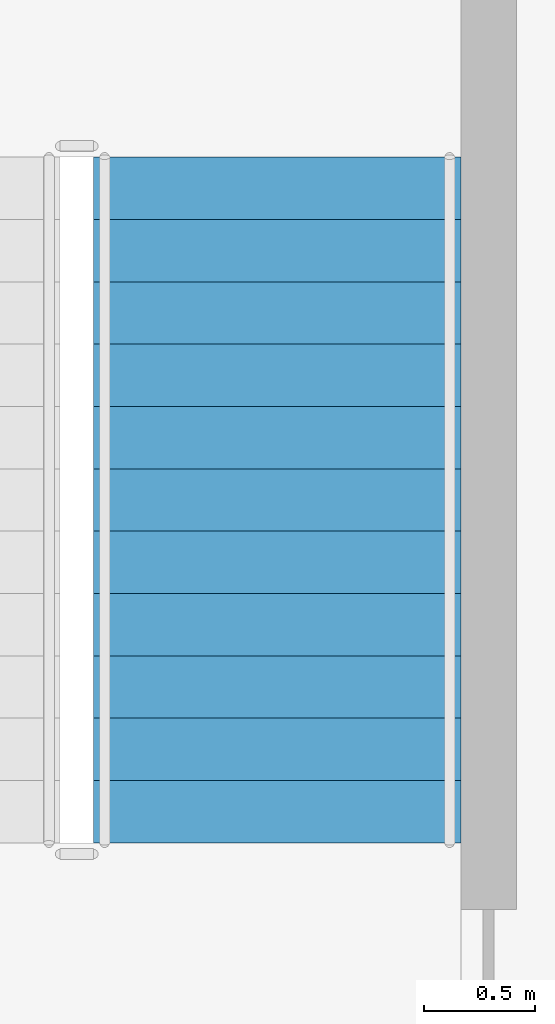
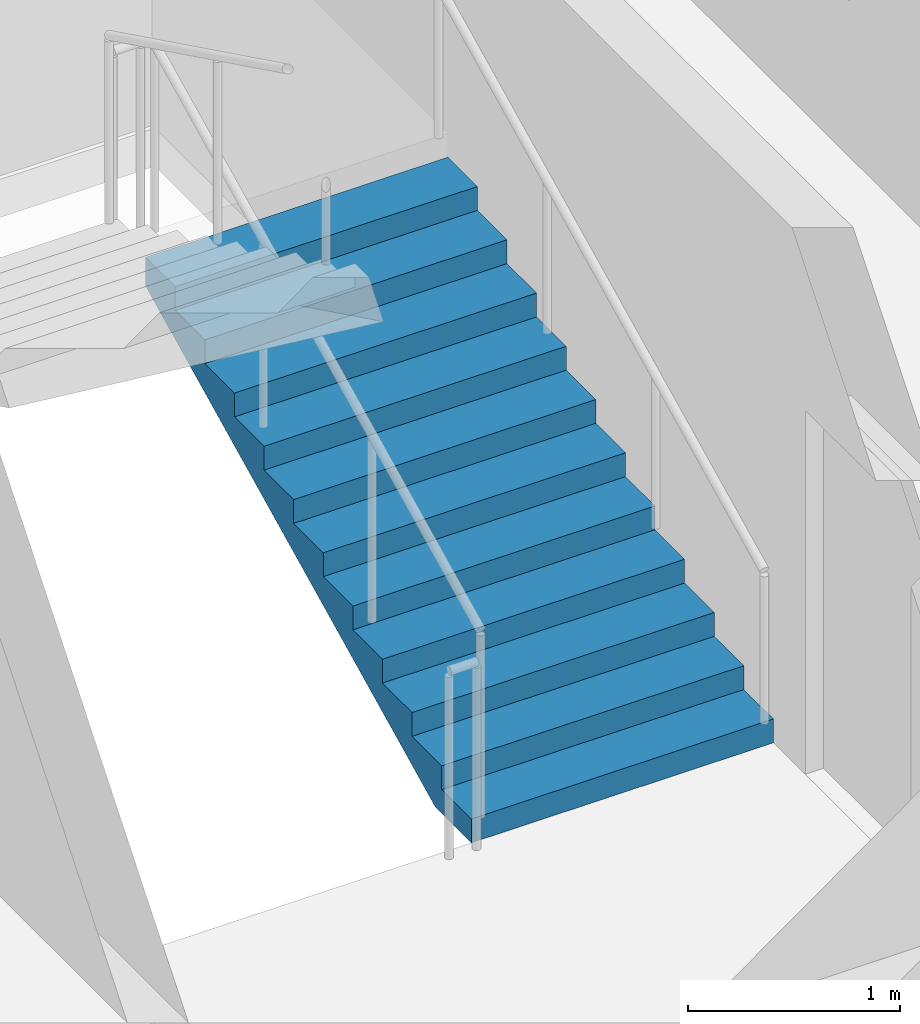
# One storey, part 12 of 27: 1 stair flight, 1 element without a shape of its own.
"""IFC4 building model written with IfcOpenShell, lengths in metres."""

from ifc_helpers import new_model, si_unit, direction, frame, origin, place, context, subcontext, project, spatial, polyline, outline, extrude, material, layer, layer_set, type_object, element, aggregate, save


model = new_model("IFC4")

# Units and contexts
model_context = context("Model", 3, precision=1e-05, world=origin(), true_north=direction((0.0, 1.0)))
body_context = subcontext(model_context, "Body", "Model", "MODEL_VIEW")
ifc_project = project(units=[si_unit("LENGTHUNIT", "METRE"), si_unit("AREAUNIT", "SQUARE_METRE"), si_unit("VOLUMEUNIT", "CUBIC_METRE"), si_unit("PLANEANGLEUNIT", "RADIAN"), si_unit("MASSUNIT", "GRAM", prefix="KILO")], contexts=[model_context])

# Site, building, storey
site_placement = place(None, origin())
site = spatial("IfcSite", under=ifc_project, at=site_placement, CompositionType="ELEMENT")
building_placement = place(site_placement, origin())
building = spatial("IfcBuilding", under=site, at=building_placement, Name="Poui Terraces", CompositionType="ELEMENT")
storey_placement = place(building_placement, frame((0.0, 0.0, 204.89990234375)))
storey = spatial("IfcBuildingStorey", under=building, at=storey_placement, Name="L57", CompositionType="ELEMENT", Elevation=204.89990234375)

# Stair, stair flight
ifc_material = material(Name="Concrete 50 MPa", Category="concrete")
stair_type = type_object("IfcStairType", Name="EXIT STAIR 1650 50 MPA", PredefinedType="HALF_TURN_STAIR", material=ifc_material)
stair_placement = place(storey_placement, origin())
stair = element("IfcStair", 1, at=stair_placement, inside=storey, type_object=stair_type, Name="L57 TIP STAIR EAST", PredefinedType="HALF_TURN_STAIR")
ifc_layer = layer(ifc_material, 0.14990234375)
ifc_layer_set = layer_set([ifc_layer], Name="Concrete 50 MPa")
stair_flight_type = type_object("IfcStairFlightType", Name="STAIR FLIGHT 12 RISERS 138 RISE 50 MPA", PredefinedType="STRAIGHT", material=ifc_layer_set)
stair_flight_placement = place(storey_placement, frame((80.25, 16.60009765625, 0.0), z_axis=(0.0, 0.0, 1.0), x_axis=(0.0, 1.0, 0.0)))
stair_flight = element("IfcStairFlight", 2, at=stair_flight_placement, type_object=stair_flight_type, Name="ST-E flight 1", NumberOfRisers=12, NumberOfTreads=11, PredefinedType="STRAIGHT", RiserHeight=0.1375, TreadLength=0.28, context=body_context, shape_type="SweptSolid", body=[
    extrude(outline(polyline([(0.0, 0.0), (0.0, 0.137451171875), (0.280029296875, 0.137451171875), (0.280029296875, 0.27490234375), (0.56005859375, 0.27490234375), (0.56005859375, 0.41259765625), (0.840087890625, 0.41259765625), (0.840087890625, 0.550048828125), (1.1201171875, 0.550048828125), (1.1201171875, 0.6875), (1.39990234375, 0.6875), (1.39990234375, 0.824951171875), (1.679931640625, 0.824951171875), (1.679931640625, 0.96240234375), (1.9599609375, 0.96240234375), (1.9599609375, 1.10009765625), (2.239990234375, 1.10009765625), (2.239990234375, 1.237548828125), (2.52001953125, 1.237548828125), (2.52001953125, 1.375), (2.800048828125, 1.375), (2.800048828125, 1.512451171875), (3.080078125, 1.512451171875), (3.080078125, 1.64990234375), (3.080078125, 1.345458984375), (0.340087890625, 0.0), (0.0, 0.0)])), frame((0.0, 0.824951171875, 0.0), z_axis=(0.0, -1.0, 0.0), x_axis=(1.0, 0.0, 0.0)), (0.0, 0.0, 1.0), 1.64990234375),
])
aggregate(stair, [stair_flight])

save(model, "model.ifc")
